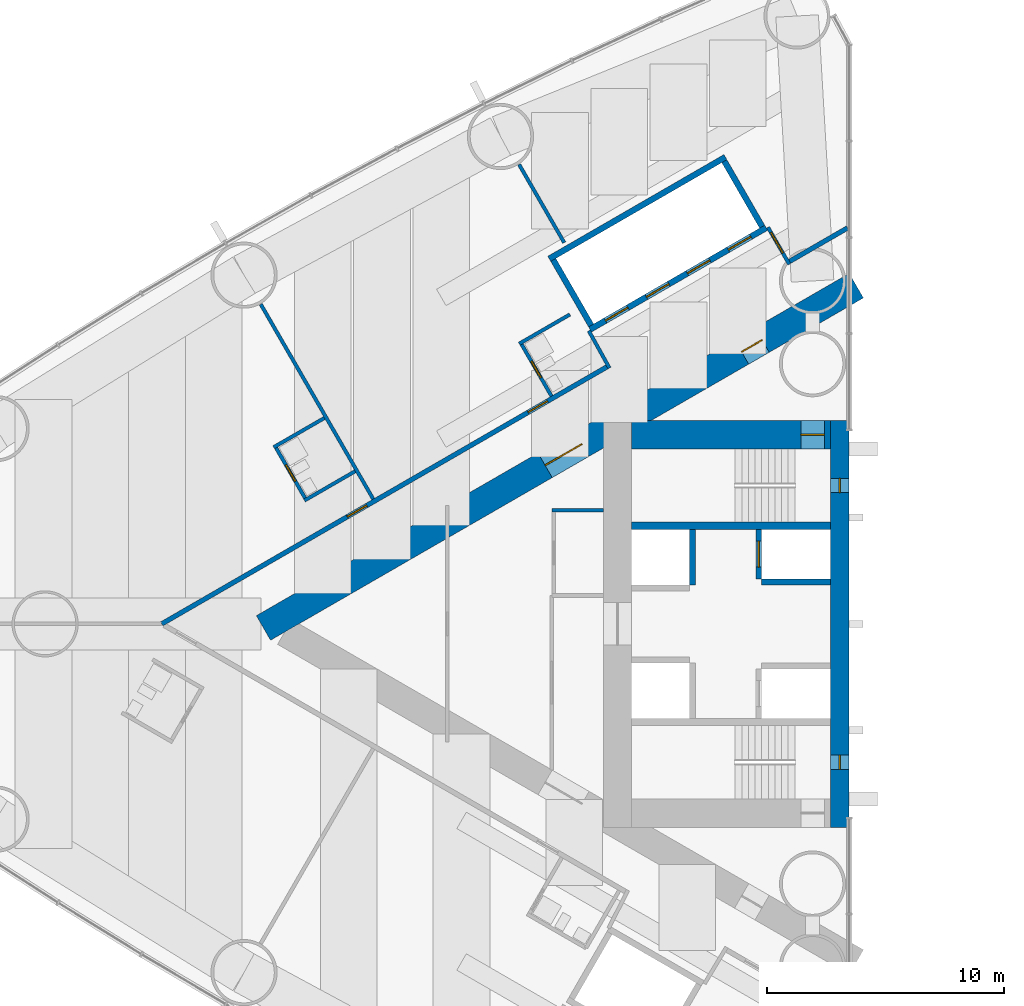
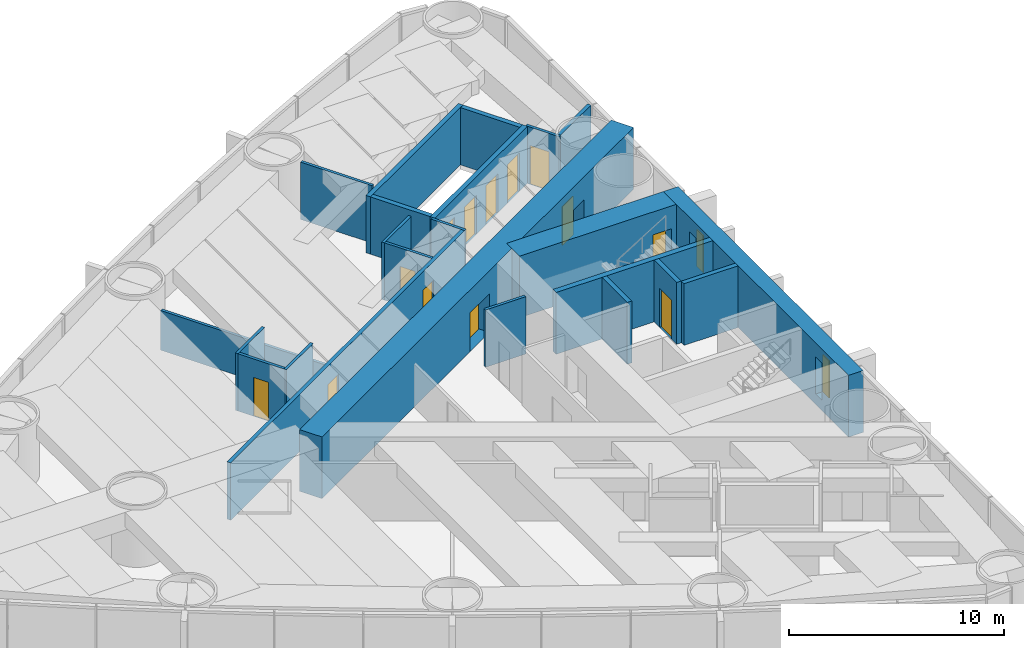
# One storey, part 12 of 18: 23 walls, 13 doors, 2 windows, 15 openings.
"""IFC4 building model written with IfcOpenShell, lengths in metres."""

from ifc_helpers import new_model, si_unit, direction, frame, frame_2d, origin, place, context, subcontext, project, spatial, rectangle, extrude, material, layer, layer_set, type_object, element, fill, save


model = new_model("IFC4")

# Units and contexts
model_context = context("Model", 3, precision=1e-05, world=origin(), true_north=direction((0.0, 1.0)))
body_context = subcontext(model_context, "Body", "Model", "MODEL_VIEW")
ifc_project = project(units=[si_unit("LENGTHUNIT", "METRE"), si_unit("AREAUNIT", "SQUARE_METRE"), si_unit("VOLUMEUNIT", "CUBIC_METRE"), si_unit("PLANEANGLEUNIT", "RADIAN"), si_unit("MASSUNIT", "GRAM", prefix="KILO")], contexts=[model_context])

# Site, building, storey
site_placement = place(None, origin())
site = spatial("IfcSite", under=ifc_project, at=site_placement, CompositionType="ELEMENT")
building_placement = place(site_placement, origin())
building = spatial("IfcBuilding", under=site, at=building_placement, Name="Lancet Gate Hotel", CompositionType="ELEMENT")
storey_placement = place(building_placement, frame((0.0, 0.0, 46.0)))
storey = spatial("IfcBuildingStorey", under=building, at=storey_placement, Name="L11", CompositionType="ELEMENT", Elevation=46.0)

# Wall
ifc_material_1 = material(Name="Moisture resistant board partition")
ifc_layer_1 = layer(ifc_material_1, 0.14990234375)
ifc_layer_set_1 = layer_set([ifc_layer_1], Name="Bathroom wall 150")
wall_type_1 = type_object("IfcWallType", Name="Bathroom wall 150", PredefinedType="PARTITIONING", material=ifc_layer_set_1)
wall_1_placement = place(storey_placement, frame((-49.691650390625, 8.704345703125, 0.0), z_axis=(0.0, 0.0, 1.0), x_axis=(-0.866073894602, -0.499916002032, 0.0)))
element("IfcWall", 1, at=wall_1_placement, inside=storey, type_object=wall_type_1, Name="T1 bathroom wall 150 L11", PredefinedType="PARTITIONING", context=body_context, shape_type="SweptSolid", body=[
    extrude(rectangle(XDim=2.47509765625, YDim=0.14990234375, at=frame_2d((1.237548828125, 0.0))), origin(), (0.0, 0.0, 1.0), 3.25),
])

# Wall, opening, door
wall_2_placement = place(storey_placement, frame((-50.47021484375, 5.252685546875, 0.0), z_axis=(0.0, 0.0, 1.0), x_axis=(-0.500006934395, 0.866021400173, 0.0)))
wall_2 = element("IfcWall", 2, at=wall_2_placement, inside=storey, type_object=wall_type_1, Name="T1 bathroom wall 150 L11", PredefinedType="PARTITIONING", context=body_context, shape_type="SweptSolid", body=[
    extrude(rectangle(XDim=2.60009765625, YDim=0.14990234375, at=frame_2d((1.300048828125, 0.0))), origin(), (0.0, 0.0, 1.0), 3.25),
])
opening_1_placement = place(wall_2_placement, frame((0.89990234375, 0.0, 0.0)))
opening_1 = element("IfcOpeningElement", 3, at=opening_1_placement, cuts=wall_2, Name="Opening 1103-B", PredefinedType="OPENING", context=body_context, shape_type="SweptSolid", body=[
    extrude(rectangle(XDim=0.800048828125, YDim=2.199951171875, at=frame_2d((0.39990234375, 1.10009765625))), frame((0.0, 0.0849609375, 0.0), z_axis=(0.0, -1.0, 0.0), x_axis=(1.0, 0.0, 0.0)), (0.0, 0.0, 1.0), 0.169921875),
])
ifc_material_2 = material(Name="Timber door set", Category="wood")
door_type_1 = type_object("IfcDoorType", Name="Bathroom door 800", OperationType="SINGLE_SWING_RIGHT", PredefinedType="DOOR", material=ifc_material_2)
door_1_placement = place(opening_1_placement, origin())
door_1 = element("IfcDoor", 4, at=door_1_placement, inside=storey, type_object=door_type_1, Name="1103-B", OperationType="SINGLE_SWING_RIGHT", OverallHeight=2.199951171875, OverallWidth=0.800048828125, PredefinedType="DOOR", context=body_context, shape_type="SweptSolid", body=[
    extrude(rectangle(XDim=0.800048828125, YDim=2.199951171875, at=frame_2d((0.39990234375, 1.10009765625))), frame((0.0, 0.02490234375, 0.0), z_axis=(0.0, -1.0, 0.0), x_axis=(1.0, 0.0, 0.0)), (0.0, 0.0, 1.0), 0.050048828125),
])
fill(opening_1, door_1)

# Walls
wall_3_placement = place(storey_placement, frame((-48.391845703125, 6.45263671875, 0.0), z_axis=(0.0, 0.0, 1.0), x_axis=(-0.86604923931, -0.499958713387, 0.0)))
element("IfcWall", 5, at=wall_3_placement, inside=storey, type_object=wall_type_1, Name="T1 bathroom wall 150 L11", PredefinedType="PARTITIONING", context=body_context, shape_type="SweptSolid", body=[
    extrude(rectangle(XDim=2.474853515625, YDim=0.14990234375, at=frame_2d((1.2373046875, 0.0))), origin(), (0.0, 0.0, 1.0), 3.25),
])
wall_4_placement = place(storey_placement, frame((-39.309814453125, 13.081787109375, 0.0), z_axis=(0.0, 0.0, 1.0), x_axis=(-0.866031185235, -0.4999899861, 0.0)))
element("IfcWall", 6, at=wall_4_placement, inside=storey, type_object=wall_type_1, Name="T1 bathroom wall 150 L11", PredefinedType="PARTITIONING", context=body_context, shape_type="SweptSolid", body=[
    extrude(rectangle(XDim=2.47509765625, YDim=0.14990234375, at=frame_2d((1.237548828125, 0.0))), origin(), (0.0, 0.0, 1.0), 3.25),
])

# Wall, opening, door
wall_5_placement = place(storey_placement, frame((-40.08837890625, 9.630126953125, 0.0), z_axis=(0.0, 0.0, 1.0), x_axis=(-0.500006934395, 0.866021400173, 0.0)))
wall_5 = element("IfcWall", 7, at=wall_5_placement, inside=storey, type_object=wall_type_1, Name="T1 bathroom wall 150 L11", PredefinedType="PARTITIONING", context=body_context, shape_type="SweptSolid", body=[
    extrude(rectangle(XDim=2.60009765625, YDim=0.14990234375, at=frame_2d((1.300048828125, 0.0))), origin(), (0.0, 0.0, 1.0), 3.25),
])
opening_2_placement = place(wall_5_placement, frame((0.89990234375, 0.0, 0.0)))
opening_2 = element("IfcOpeningElement", 8, at=opening_2_placement, cuts=wall_5, Name="Opening 1102-B", PredefinedType="OPENING", context=body_context, shape_type="SweptSolid", body=[
    extrude(rectangle(XDim=0.800048828125, YDim=2.199951171875, at=frame_2d((0.39990234375, 1.10009765625))), frame((0.0, 0.0849609375, 0.0), z_axis=(0.0, -1.0, 0.0), x_axis=(1.0, 0.0, 0.0)), (0.0, 0.0, 1.0), 0.169921875),
])
door_2_placement = place(opening_2_placement, origin())
door_2 = element("IfcDoor", 9, at=door_2_placement, inside=storey, type_object=door_type_1, Name="1102-B", OperationType="SINGLE_SWING_RIGHT", OverallHeight=2.199951171875, OverallWidth=0.800048828125, PredefinedType="DOOR", context=body_context, shape_type="SweptSolid", body=[
    extrude(rectangle(XDim=0.800048828125, YDim=2.199951171875, at=frame_2d((0.39990234375, 1.10009765625))), frame((0.0, 0.02490234375, 0.0), z_axis=(0.0, -1.0, 0.0), x_axis=(1.0, 0.0, 0.0)), (0.0, 0.0, 1.0), 0.050048828125),
])
fill(opening_2, door_2)

# Wall, openings, doors
ifc_material_3 = material(Name="Concrete C70/85", Category="concrete")
ifc_layer_2 = layer(ifc_material_3, 1.199951171875)
ifc_layer_set_2 = layer_set([ifc_layer_2], Name="Buttress wall 1200")
wall_type_2 = type_object("IfcWallType", Name="Buttress wall 1200", PredefinedType="SHEAR", material=ifc_layer_set_2)
wall_6_placement = place(storey_placement, frame((-27.199951171875, 14.300048828125, 0.0), z_axis=(0.0, 0.0, 1.0), x_axis=(-0.866026593062, -0.499997940104, 0.0)))
wall_6 = element("IfcWall", 10, at=wall_6_placement, inside=storey, type_object=wall_type_2, Name="T1 buttress wall S L11", PredefinedType="SHEAR", context=body_context, shape_type="SweptSolid", body=[
    extrude(rectangle(XDim=28.9462890625, YDim=1.199951171875, at=frame_2d((14.47314453125, 0.0))), origin(), (0.0, 0.0, 1.0), 3.5),
])
opening_3_placement = place(wall_6_placement, frame((4.60009765625, 0.0, 0.0)))
opening_3 = element("IfcOpeningElement", 11, at=opening_3_placement, cuts=wall_6, Name="Opening T1-L11-LS", PredefinedType="OPENING", context=body_context, shape_type="SweptSolid", body=[
    extrude(rectangle(XDim=1.0, YDim=2.199951171875, at=frame_2d((0.5, 1.10009765625))), frame((0.0, 0.60986328125, 0.0), z_axis=(0.0, -1.0, 0.0), x_axis=(1.0, 0.0, 0.0)), (0.0, 0.0, 1.0), 1.219970703125),
])
opening_4_placement = place(wall_6_placement, frame((13.39453125, 0.0, 0.0)))
opening_4 = element("IfcOpeningElement", 12, at=opening_4_placement, cuts=wall_6, Name="Opening T1-L11-LHS", PredefinedType="OPENING", context=body_context, shape_type="SweptSolid", body=[
    extrude(rectangle(XDim=1.800048828125, YDim=2.199951171875, at=frame_2d((0.89990234375, 1.10009765625))), frame((0.0, 0.60986328125, 0.0), z_axis=(0.0, -1.0, 0.0), x_axis=(1.0, 0.0, 0.0)), (0.0, 0.0, 1.0), 1.219970703125),
])
ifc_material_4 = material(Name="Timber door set", Category="wood")
door_type_2 = type_object("IfcDoorType", Name="Lobby double door 1800", OperationType="DOUBLE_DOOR_SINGLE_SWING", PredefinedType="DOOR", material=ifc_material_4)
door_3_placement = place(opening_4_placement, origin())
door_3 = element("IfcDoor", 13, at=door_3_placement, inside=storey, type_object=door_type_2, Name="T1-L11-LHS", OperationType="DOUBLE_DOOR_SINGLE_SWING", OverallHeight=2.199951171875, OverallWidth=1.800048828125, PredefinedType="DOOR", context=body_context, shape_type="SweptSolid", body=[
    extrude(rectangle(XDim=1.800048828125, YDim=2.199951171875, at=frame_2d((0.89990234375, 1.10009765625))), frame((0.0, 0.02490234375, 0.0), z_axis=(0.0, -1.0, 0.0), x_axis=(1.0, 0.0, 0.0)), (0.0, 0.0, 1.0), 0.050048828125),
])
fill(opening_4, door_3)
ifc_material_5 = material(Name="Timber door set", Category="wood")
door_type_3 = type_object("IfcDoorType", Name="Stair lobby door 1000", OperationType="SINGLE_SWING_LEFT", PredefinedType="DOOR", material=ifc_material_5)
door_4_placement = place(opening_3_placement, origin())
door_4 = element("IfcDoor", 14, at=door_4_placement, inside=storey, type_object=door_type_3, Name="T1-L11-LS", OperationType="SINGLE_SWING_LEFT", OverallHeight=2.199951171875, OverallWidth=1.0, PredefinedType="DOOR", context=body_context, shape_type="SweptSolid", body=[
    extrude(rectangle(XDim=1.0, YDim=2.199951171875, at=frame_2d((0.5, 1.10009765625))), frame((0.0, 0.02490234375, 0.0), z_axis=(0.0, -1.0, 0.0), x_axis=(1.0, 0.0, 0.0)), (0.0, 0.0, 1.0), 0.050048828125),
])
fill(opening_3, door_4)

# Wall, opening, door
ifc_material_6 = material(Name="Concrete C70/85", Category="concrete")
ifc_layer_3 = layer(ifc_material_6, 1.199951171875)
ifc_layer_set_3 = layer_set([ifc_layer_3], Name="Core wall 1200")
wall_type_3 = type_object("IfcWallType", Name="Core wall 1200", PredefinedType="SHEAR", material=ifc_layer_set_3)
wall_7_placement = place(storey_placement, frame((-28.300048828125, 8.0, 0.0), z_axis=(0.0, 0.0, 1.0), x_axis=(-1.0, 0.0, 0.0)))
wall_7 = element("IfcWall", 15, at=wall_7_placement, inside=storey, type_object=wall_type_3, Name="T1 core wall side-S L11", PredefinedType="SHEAR", context=body_context, shape_type="SweptSolid", body=[
    extrude(rectangle(XDim=8.39990234375, YDim=1.199951171875, at=frame_2d((4.199951171875, 0.0))), origin(), (0.0, 0.0, 1.0), 3.5),
])
opening_5_placement = place(wall_7_placement, frame((0.25, 0.0, 0.0)))
opening_5 = element("IfcOpeningElement", 16, at=opening_5_placement, cuts=wall_7, Name="Opening T1-L11-ST1", PredefinedType="OPENING", context=body_context, shape_type="SweptSolid", body=[
    extrude(rectangle(XDim=1.0, YDim=2.199951171875, at=frame_2d((0.5, 1.10009765625))), frame((0.0, 0.60986328125, 0.0), z_axis=(0.0, -1.0, 0.0), x_axis=(1.0, 0.0, 0.0)), (0.0, 0.0, 1.0), 1.219970703125),
])
ifc_material_7 = material(Name="Timber door set", Category="wood")
door_type_4 = type_object("IfcDoorType", Name="Stair door 1000", OperationType="SINGLE_SWING_RIGHT", PredefinedType="DOOR", material=ifc_material_7)
door_5_placement = place(opening_5_placement, origin())
door_5 = element("IfcDoor", 17, at=door_5_placement, inside=storey, type_object=door_type_4, Name="T1-L11-ST1", OperationType="SINGLE_SWING_RIGHT", OverallHeight=2.199951171875, OverallWidth=1.0, PredefinedType="DOOR", context=body_context, shape_type="SweptSolid", body=[
    extrude(rectangle(XDim=1.0, YDim=2.199951171875, at=frame_2d((0.5, 1.10009765625))), frame((0.0, 0.02490234375, 0.0), z_axis=(0.0, -1.0, 0.0), x_axis=(1.0, 0.0, 0.0)), (0.0, 0.0, 1.0), 0.050048828125),
])
fill(opening_5, door_5)

# Wall, openings, windows
ifc_material_8 = material(Name="Concrete C70/85", Category="concrete")
ifc_layer_4 = layer(ifc_material_8, 0.800048828125)
ifc_layer_set_4 = layer_set([ifc_layer_4], Name="Core wall 800")
wall_type_4 = type_object("IfcWallType", Name="Core wall 800", PredefinedType="SHEAR", material=ifc_layer_set_4)
wall_8_placement = place(storey_placement, frame((-27.89990234375, 8.60009765625, 0.0), z_axis=(0.0, 0.0, 1.0), x_axis=(0.0, -1.0, 0.0)))
wall_8 = element("IfcWall", 18, at=wall_8_placement, inside=storey, type_object=wall_type_4, Name="T1 core wall front L11", PredefinedType="SHEAR", context=body_context, shape_type="SweptSolid", body=[
    extrude(rectangle(XDim=17.2001953125, YDim=0.800048828125, at=frame_2d((8.60009765625, 0.0))), origin(), (0.0, 0.0, 1.0), 3.5),
])
opening_6_placement = place(wall_8_placement, frame((2.449951171875, 0.0, 0.60009765625)))
opening_6 = element("IfcOpeningElement", 19, at=opening_6_placement, cuts=wall_8, Name="Opening LW1", PredefinedType="OPENING", context=body_context, shape_type="SweptSolid", body=[
    extrude(rectangle(XDim=0.60009765625, YDim=2.10009765625, at=frame_2d((0.300048828125, 1.050048828125))), frame((0.0, 0.409912109375, 0.0), z_axis=(0.0, -1.0, 0.0), x_axis=(1.0, 0.0, 0.0)), (0.0, 0.0, 1.0), 0.820068359375),
])
opening_7_placement = place(wall_8_placement, frame((14.14990234375, 0.0, 0.60009765625)))
opening_7 = element("IfcOpeningElement", 20, at=opening_7_placement, cuts=wall_8, Name="Opening LW1", PredefinedType="OPENING", context=body_context, shape_type="SweptSolid", body=[
    extrude(rectangle(XDim=0.60009765625, YDim=2.10009765625, at=frame_2d((0.300048828125, 1.050048828125))), frame((0.0, 0.409912109375, 0.0), z_axis=(0.0, -1.0, 0.0), x_axis=(1.0, 0.0, 0.0)), (0.0, 0.0, 1.0), 0.820068359375),
])
ifc_material_9 = material(Name="Fire-resisting glazed steel window", Category="steel")
window_type = type_object("IfcWindowType", Name="Lancet window 600x2100", PartitioningType="SINGLE_PANEL", PredefinedType="WINDOW", material=ifc_material_9)
window_1_placement = place(opening_6_placement, origin())
window_1 = element("IfcWindow", 21, at=window_1_placement, inside=storey, type_object=window_type, Name="T1 stair window S L11", OverallHeight=2.10009765625, OverallWidth=0.60009765625, PartitioningType="SINGLE_PANEL", PredefinedType="WINDOW", context=body_context, shape_type="SweptSolid", body=[
    extrude(rectangle(XDim=0.60009765625, YDim=2.10009765625, at=frame_2d((0.300048828125, 1.050048828125))), frame((0.0, 0.030029296875, 0.0), z_axis=(0.0, -1.0, 0.0), x_axis=(1.0, 0.0, 0.0)), (0.0, 0.0, 1.0), 0.06005859375),
])
fill(opening_6, window_1)
window_2_placement = place(opening_7_placement, origin())
window_2 = element("IfcWindow", 22, at=window_2_placement, inside=storey, type_object=window_type, Name="T1 stair window N L11", OverallHeight=2.10009765625, OverallWidth=0.60009765625, PartitioningType="SINGLE_PANEL", PredefinedType="WINDOW", context=body_context, shape_type="SweptSolid", body=[
    extrude(rectangle(XDim=0.60009765625, YDim=2.10009765625, at=frame_2d((0.300048828125, 1.050048828125))), frame((0.0, 0.030029296875, 0.0), z_axis=(0.0, -1.0, 0.0), x_axis=(1.0, 0.0, 0.0)), (0.0, 0.0, 1.0), 0.06005859375),
])
fill(opening_7, window_2)

# Wall
ifc_material_10 = material(Name="Gypsum board partition")
ifc_layer_5 = layer(ifc_material_10, 0.199951171875)
ifc_layer_set_5 = layer_set([ifc_layer_5], Name="Corridor wall 200")
wall_type_5 = type_object("IfcWallType", Name="Corridor wall 200", PredefinedType="PARTITIONING", material=ifc_layer_set_5)
wall_9_placement = place(storey_placement, frame((-27.572021484375, 16.740966796875, 0.0), z_axis=(0.0, 0.0, 1.0), x_axis=(-0.866034618596, -0.499984039138, 0.0)))
element("IfcWall", 23, at=wall_9_placement, inside=storey, type_object=wall_type_5, Name="T1 corridor wall 200 L11", PredefinedType="PARTITIONING", context=body_context, shape_type="SweptSolid", body=[
    extrude(rectangle(XDim=2.8544921875, YDim=0.199951171875, at=frame_2d((1.42724609375, 0.0))), origin(), (0.0, 0.0, 1.0), 3.25),
])

# Wall, openings, doors
wall_10_placement = place(storey_placement, frame((-37.699951171875, 10.8935546875, 0.0), z_axis=(0.0, 0.0, 1.0), x_axis=(-0.866027905338, -0.499995667157, 0.0)))
wall_10 = element("IfcWall", 24, at=wall_10_placement, inside=storey, type_object=wall_type_5, Name="T1 corridor wall 200 L11", PredefinedType="PARTITIONING", context=body_context, shape_type="SweptSolid", body=[
    extrude(rectangle(XDim=21.787353515625, YDim=0.199951171875, at=frame_2d((10.8935546875, 0.0))), origin(), (0.0, 0.0, 1.0), 3.25),
])
opening_8_placement = place(wall_10_placement, frame((11.77978515625, 0.0, 0.0)))
opening_8 = element("IfcOpeningElement", 25, at=opening_8_placement, cuts=wall_10, Name="Opening 1103-E", PredefinedType="OPENING", context=body_context, shape_type="SweptSolid", body=[
    extrude(rectangle(XDim=0.949951171875, YDim=2.199951171875, at=frame_2d((0.47509765625, 1.10009765625))), frame((0.0, 0.10986328125, 0.0), z_axis=(0.0, -1.0, 0.0), x_axis=(1.0, 0.0, 0.0)), (0.0, 0.0, 1.0), 0.219970703125),
])
opening_9_placement = place(wall_10_placement, frame((2.949951171875, 0.0, 0.0)))
opening_9 = element("IfcOpeningElement", 26, at=opening_9_placement, cuts=wall_10, Name="Opening 1102-E", PredefinedType="OPENING", context=body_context, shape_type="SweptSolid", body=[
    extrude(rectangle(XDim=0.949951171875, YDim=2.199951171875, at=frame_2d((0.47509765625, 1.10009765625))), frame((0.0, 0.10986328125, 0.0), z_axis=(0.0, -1.0, 0.0), x_axis=(1.0, 0.0, 0.0)), (0.0, 0.0, 1.0), 0.219970703125),
])
ifc_material_11 = material(Name="Timber door set", Category="wood")
door_type_5 = type_object("IfcDoorType", Name="Guest room entry door 950", OperationType="SINGLE_SWING_LEFT", PredefinedType="DOOR", material=ifc_material_11)
door_6_placement = place(opening_8_placement, origin())
door_6 = element("IfcDoor", 27, at=door_6_placement, inside=storey, type_object=door_type_5, Name="1103-E", OperationType="SINGLE_SWING_LEFT", OverallHeight=2.199951171875, OverallWidth=0.949951171875, PredefinedType="DOOR", context=body_context, shape_type="SweptSolid", body=[
    extrude(rectangle(XDim=0.949951171875, YDim=2.199951171875, at=frame_2d((0.47509765625, 1.10009765625))), frame((0.0, 0.02490234375, 0.0), z_axis=(0.0, -1.0, 0.0), x_axis=(1.0, 0.0, 0.0)), (0.0, 0.0, 1.0), 0.050048828125),
])
fill(opening_8, door_6)
door_7_placement = place(opening_9_placement, origin())
door_7 = element("IfcDoor", 28, at=door_7_placement, inside=storey, type_object=door_type_5, Name="1102-E", OperationType="SINGLE_SWING_LEFT", OverallHeight=2.199951171875, OverallWidth=0.949951171875, PredefinedType="DOOR", context=body_context, shape_type="SweptSolid", body=[
    extrude(rectangle(XDim=0.949951171875, YDim=2.199951171875, at=frame_2d((0.47509765625, 1.10009765625))), frame((0.0, 0.02490234375, 0.0), z_axis=(0.0, -1.0, 0.0), x_axis=(1.0, 0.0, 0.0)), (0.0, 0.0, 1.0), 0.050048828125),
])
fill(opening_9, door_7)

ifc_material_12 = material(Name="Gypsum board partition")
ifc_layer_6 = layer(ifc_material_12, 0.25)
ifc_layer_set_6 = layer_set([ifc_layer_6], Name="Lift shaft partition 250")
wall_type_6 = type_object("IfcWallType", Name="Lift shaft partition 250", PredefinedType="PARTITIONING", material=ifc_layer_set_6)
wall_11_placement = place(storey_placement, frame((-31.010498046875, 16.747314453125, 0.0), z_axis=(0.0, 0.0, 1.0), x_axis=(-0.866028165386, -0.499995216735, 0.0)))
wall_11 = element("IfcWall", 29, at=wall_11_placement, inside=storey, type_object=wall_type_6, Name="T1 lift shaft wall LR L11", PredefinedType="PARTITIONING", context=body_context, shape_type="SweptSolid", body=[
    extrude(rectangle(XDim=8.60009765625, YDim=0.25, at=frame_2d((4.300048828125, 0.0))), origin(), (0.0, 0.0, 1.0), 3.25),
])
opening_10_placement = place(wall_11_placement, frame((0.75, 0.0, 0.0)))
opening_10 = element("IfcOpeningElement", 30, at=opening_10_placement, cuts=wall_11, Name="Opening T1-LR1-L11", PredefinedType="OPENING", context=body_context, shape_type="SweptSolid", body=[
    extrude(rectangle(XDim=1.10009765625, YDim=2.199951171875, at=frame_2d((0.550048828125, 1.10009765625))), frame((0.0, 0.135009765625, 0.0), z_axis=(0.0, -1.0, 0.0), x_axis=(1.0, 0.0, 0.0)), (0.0, 0.0, 1.0), 0.27001953125),
])
opening_11_placement = place(wall_11_placement, frame((2.75, 0.0, 0.0)))
opening_11 = element("IfcOpeningElement", 31, at=opening_11_placement, cuts=wall_11, Name="Opening T1-LR2-L11", PredefinedType="OPENING", context=body_context, shape_type="SweptSolid", body=[
    extrude(rectangle(XDim=1.10009765625, YDim=2.199951171875, at=frame_2d((0.550048828125, 1.10009765625))), frame((0.0, 0.135009765625, 0.0), z_axis=(0.0, -1.0, 0.0), x_axis=(1.0, 0.0, 0.0)), (0.0, 0.0, 1.0), 0.27001953125),
])
opening_12_placement = place(wall_11_placement, frame((4.75, 0.0, 0.0)))
opening_12 = element("IfcOpeningElement", 32, at=opening_12_placement, cuts=wall_11, Name="Opening T1-LR3-L11", PredefinedType="OPENING", context=body_context, shape_type="SweptSolid", body=[
    extrude(rectangle(XDim=1.10009765625, YDim=2.199951171875, at=frame_2d((0.550048828125, 1.10009765625))), frame((0.0, 0.135009765625, 0.0), z_axis=(0.0, -1.0, 0.0), x_axis=(1.0, 0.0, 0.0)), (0.0, 0.0, 1.0), 0.27001953125),
])
opening_13_placement = place(wall_11_placement, frame((6.75, 0.0, 0.0)))
opening_13 = element("IfcOpeningElement", 33, at=opening_13_placement, cuts=wall_11, Name="Opening T1-LR4-L11", PredefinedType="OPENING", context=body_context, shape_type="SweptSolid", body=[
    extrude(rectangle(XDim=1.10009765625, YDim=2.199951171875, at=frame_2d((0.550048828125, 1.10009765625))), frame((0.0, 0.135009765625, 0.0), z_axis=(0.0, -1.0, 0.0), x_axis=(1.0, 0.0, 0.0)), (0.0, 0.0, 1.0), 0.27001953125),
])
ifc_material_13 = material(Name="Steel door set", Category="steel")
door_type_6 = type_object("IfcDoorType", Name="Lift landing door 1100", OperationType="DOUBLE_DOOR_SLIDING", PredefinedType="USERDEFINED", material=ifc_material_13)
door_8_placement = place(opening_10_placement, origin())
door_8 = element("IfcDoor", 34, at=door_8_placement, inside=storey, type_object=door_type_6, Name="T1-LR1-L11", ObjectType="LIFT LANDING DOOR", OperationType="DOUBLE_DOOR_SLIDING", OverallHeight=2.199951171875, OverallWidth=1.10009765625, PredefinedType="USERDEFINED", context=body_context, shape_type="SweptSolid", body=[
    extrude(rectangle(XDim=1.10009765625, YDim=2.199951171875, at=frame_2d((0.550048828125, 1.10009765625))), frame((0.0, 0.02490234375, 0.0), z_axis=(0.0, -1.0, 0.0), x_axis=(1.0, 0.0, 0.0)), (0.0, 0.0, 1.0), 0.050048828125),
])
fill(opening_10, door_8)
door_9_placement = place(opening_11_placement, origin())
door_9 = element("IfcDoor", 35, at=door_9_placement, inside=storey, type_object=door_type_6, Name="T1-LR2-L11", ObjectType="LIFT LANDING DOOR", OperationType="DOUBLE_DOOR_SLIDING", OverallHeight=2.199951171875, OverallWidth=1.10009765625, PredefinedType="USERDEFINED", context=body_context, shape_type="SweptSolid", body=[
    extrude(rectangle(XDim=1.10009765625, YDim=2.199951171875, at=frame_2d((0.550048828125, 1.10009765625))), frame((0.0, 0.02490234375, 0.0), z_axis=(0.0, -1.0, 0.0), x_axis=(1.0, 0.0, 0.0)), (0.0, 0.0, 1.0), 0.050048828125),
])
fill(opening_11, door_9)
door_10_placement = place(opening_12_placement, origin())
door_10 = element("IfcDoor", 36, at=door_10_placement, inside=storey, type_object=door_type_6, Name="T1-LR3-L11", ObjectType="LIFT LANDING DOOR", OperationType="DOUBLE_DOOR_SLIDING", OverallHeight=2.199951171875, OverallWidth=1.10009765625, PredefinedType="USERDEFINED", context=body_context, shape_type="SweptSolid", body=[
    extrude(rectangle(XDim=1.10009765625, YDim=2.199951171875, at=frame_2d((0.550048828125, 1.10009765625))), frame((0.0, 0.02490234375, 0.0), z_axis=(0.0, -1.0, 0.0), x_axis=(1.0, 0.0, 0.0)), (0.0, 0.0, 1.0), 0.050048828125),
])
fill(opening_12, door_10)
door_11_placement = place(opening_13_placement, origin())
door_11 = element("IfcDoor", 37, at=door_11_placement, inside=storey, type_object=door_type_6, Name="T1-LR4-L11", ObjectType="LIFT LANDING DOOR", OperationType="DOUBLE_DOOR_SLIDING", OverallHeight=2.199951171875, OverallWidth=1.10009765625, PredefinedType="USERDEFINED", context=body_context, shape_type="SweptSolid", body=[
    extrude(rectangle(XDim=1.10009765625, YDim=2.199951171875, at=frame_2d((0.550048828125, 1.10009765625))), frame((0.0, 0.02490234375, 0.0), z_axis=(0.0, -1.0, 0.0), x_axis=(1.0, 0.0, 0.0)), (0.0, 0.0, 1.0), 0.050048828125),
])
fill(opening_13, door_11)

# Walls
wall_12_placement = place(storey_placement, frame((-32.735595703125, 19.73583984375, 0.0), z_axis=(0.0, 0.0, 1.0), x_axis=(-0.866028165386, -0.499995216735, 0.0)))
element("IfcWall", 38, at=wall_12_placement, inside=storey, type_object=wall_type_6, Name="T1 lift shaft wall LR L11", PredefinedType="PARTITIONING", context=body_context, shape_type="SweptSolid", body=[
    extrude(rectangle(XDim=8.60009765625, YDim=0.25, at=frame_2d((4.300048828125, 0.0))), origin(), (0.0, 0.0, 1.0), 3.25),
])
wall_13_placement = place(storey_placement, frame((-31.18115234375, 16.79296875, 0.0), z_axis=(0.0, 0.0, 1.0), x_axis=(-0.499929347863, 0.866066190972, 0.0)))
element("IfcWall", 39, at=wall_13_placement, inside=storey, type_object=wall_type_6, Name="T1 lift shaft wall LR L11", PredefinedType="PARTITIONING", context=body_context, shape_type="SweptSolid", body=[
    extrude(rectangle(XDim=3.20068359375, YDim=0.25, at=frame_2d((1.600341796875, 0.0))), origin(), (0.0, 0.0, 1.0), 3.25),
])
wall_14_placement = place(storey_placement, frame((-38.412841796875, 12.617919921875, 0.0), z_axis=(0.0, 0.0, 1.0), x_axis=(-0.499872130319, 0.866099216793, 0.0)))
element("IfcWall", 40, at=wall_14_placement, inside=storey, type_object=wall_type_6, Name="T1 lift shaft wall LR L11", PredefinedType="PARTITIONING", context=body_context, shape_type="SweptSolid", body=[
    extrude(rectangle(XDim=3.200439453125, YDim=0.25, at=frame_2d((1.60009765625, 0.0))), origin(), (0.0, 0.0, 1.0), 3.25),
])

# Wall, opening, door
ifc_material_14 = material(Name="Concrete C50/60", Category="concrete")
ifc_layer_7 = layer(ifc_material_14, 0.25)
ifc_layer_set_7 = layer_set([ifc_layer_7], Name="Lift shaft wall 250")
wall_type_7 = type_object("IfcWallType", Name="Lift shaft wall 250", PredefinedType="SHEAR", material=ifc_layer_set_7)
wall_15_placement = place(storey_placement, frame((-31.324951171875, 4.0, 0.0), z_axis=(0.0, 0.0, 1.0), x_axis=(0.0, -1.0, 0.0)))
wall_15 = element("IfcWall", 41, at=wall_15_placement, inside=storey, type_object=wall_type_7, Name="T1 core wall row1-S L11", PredefinedType="SHEAR", context=body_context, shape_type="SweptSolid", body=[
    extrude(rectangle(XDim=2.10009765625, YDim=0.25, at=frame_2d((1.050048828125, 0.0))), origin(), (0.0, 0.0, 1.0), 3.5),
])
opening_14_placement = place(wall_15_placement, frame((0.5, 0.0, 0.0)))
opening_14 = element("IfcOpeningElement", 42, at=opening_14_placement, cuts=wall_15, Name="Opening T1-SL1-L11", PredefinedType="OPENING", context=body_context, shape_type="SweptSolid", body=[
    extrude(rectangle(XDim=1.10009765625, YDim=2.199951171875, at=frame_2d((0.550048828125, 1.10009765625))), frame((0.0, 0.135009765625, 0.0), z_axis=(0.0, -1.0, 0.0), x_axis=(1.0, 0.0, 0.0)), (0.0, 0.0, 1.0), 0.27001953125),
])
ifc_material_15 = material(Name="Timber door set", Category="wood")
door_type_7 = type_object("IfcDoorType", Name="Service lift landing door 1100", OperationType="SLIDING_TO_LEFT", PredefinedType="USERDEFINED", material=ifc_material_15)
door_12_placement = place(opening_14_placement, origin())
door_12 = element("IfcDoor", 43, at=door_12_placement, inside=storey, type_object=door_type_7, Name="T1-SL1-L11", ObjectType="LIFT LANDING DOOR", OperationType="SLIDING_TO_LEFT", OverallHeight=2.199951171875, OverallWidth=1.10009765625, PredefinedType="USERDEFINED", context=body_context, shape_type="SweptSolid", body=[
    extrude(rectangle(XDim=1.10009765625, YDim=2.199951171875, at=frame_2d((0.550048828125, 1.10009765625))), frame((0.0, 0.02490234375, 0.0), z_axis=(0.0, -1.0, 0.0), x_axis=(1.0, 0.0, 0.0)), (0.0, 0.0, 1.0), 0.050048828125),
])
fill(opening_14, door_12)

# Walls
wall_16_placement = place(storey_placement, frame((-34.125, 4.0, 0.0), z_axis=(0.0, 0.0, 1.0), x_axis=(0.0, -1.0, 0.0)))
element("IfcWall", 44, at=wall_16_placement, inside=storey, type_object=wall_type_7, Name="T1 core wall row2-S L11", PredefinedType="SHEAR", context=body_context, shape_type="SweptSolid", body=[
    extrude(rectangle(XDim=2.35009765625, YDim=0.25, at=frame_2d((1.175048828125, 0.0))), origin(), (0.0, 0.0, 1.0), 3.5),
])
wall_17_placement = place(storey_placement, frame((-28.300048828125, 1.77490234375, 0.0), z_axis=(0.0, 0.0, 1.0), x_axis=(-1.0, 0.0, 0.0)))
element("IfcWall", 45, at=wall_17_placement, inside=storey, type_object=wall_type_7, Name="T1 core wall pass1-S L11", PredefinedType="SHEAR", context=body_context, shape_type="SweptSolid", body=[
    extrude(rectangle(XDim=2.89990234375, YDim=0.25, at=frame_2d((1.449951171875, 0.0))), origin(), (0.0, 0.0, 1.0), 3.5),
])
ifc_material_16 = material(Name="Gypsum board partition")
ifc_layer_8 = layer(ifc_material_16, 0.14990234375)
ifc_layer_set_8 = layer_set([ifc_layer_8], Name="Party wall 150")
wall_type_8 = type_object("IfcWallType", Name="Party wall 150", PredefinedType="PARTITIONING", material=ifc_layer_set_8)
wall_18_placement = place(storey_placement, frame((-47.626708984375, 5.27783203125, 0.0), z_axis=(0.0, 0.0, 1.0), x_axis=(-0.500009844318, 0.86601972009, 0.0)))
element("IfcWall", 46, at=wall_18_placement, inside=storey, type_object=wall_type_8, Name="T1 party wall 150 L11", PredefinedType="PARTITIONING", context=body_context, shape_type="SweptSolid", body=[
    extrude(rectangle(XDim=9.510498046875, YDim=0.14990234375, at=frame_2d((4.75537109375, 0.0))), origin(), (0.0, 0.0, 1.0), 2.25),
])
wall_19_placement = place(storey_placement, frame((-39.55078125, 16.11865234375, 0.0), z_axis=(0.0, 0.0, 1.0), x_axis=(-0.500014214979, 0.866017196607, 0.0)))
element("IfcWall", 47, at=wall_19_placement, inside=storey, type_object=wall_type_8, Name="T1 party wall 150 L11", PredefinedType="PARTITIONING", context=body_context, shape_type="SweptSolid", body=[
    extrude(rectangle(XDim=3.81494140625, YDim=0.14990234375, at=frame_2d((1.907470703125, 0.0))), origin(), (0.0, 0.0, 1.0), 3.25),
])
ifc_material_17 = material(Name="Gypsum board partition")
ifc_layer_9 = layer(ifc_material_17, 0.14990234375)
ifc_layer_set_9 = layer_set([ifc_layer_9], Name="Service room wall 150")
wall_type_9 = type_object("IfcWallType", Name="Service room wall 150", PredefinedType="PARTITIONING", material=ifc_layer_set_9)
wall_20_placement = place(storey_placement, frame((-38.513427734375, 12.392333984375, 0.0), z_axis=(0.0, 0.0, 1.0), x_axis=(0.485585508183, -0.874189175317, 0.0)))
element("IfcWall", 48, at=wall_20_placement, inside=storey, type_object=wall_type_9, Name="T1 service room wall 150 L11", PredefinedType="PARTITIONING", context=body_context, shape_type="SweptSolid", body=[
    extrude(rectangle(XDim=1.804931640625, YDim=0.14990234375, at=frame_2d((0.90234375, 0.0))), origin(), (0.0, 0.0, 1.0), 3.25),
])

# Wall, opening, door
wall_21_placement = place(storey_placement, frame((-30.033203125, 15.20458984375, 0.0), z_axis=(0.0, 0.0, 1.0), x_axis=(-0.499980071345, 0.866036909293, 0.0)))
wall_21 = element("IfcWall", 49, at=wall_21_placement, inside=storey, type_object=wall_type_9, Name="T1 service room wall 150 L11", PredefinedType="PARTITIONING", context=body_context, shape_type="SweptSolid", body=[
    extrude(rectangle(XDim=1.8046875, YDim=0.14990234375, at=frame_2d((0.90234375, 0.0))), origin(), (0.0, 0.0, 1.0), 3.25),
])
opening_15_placement = place(wall_21_placement, frame((0.552001953125, 0.0, 0.0)))
opening_15 = element("IfcOpeningElement", 50, at=opening_15_placement, cuts=wall_21, Name="Opening T1-L11-LO1", PredefinedType="OPENING", context=body_context, shape_type="SweptSolid", body=[
    extrude(rectangle(XDim=1.0, YDim=2.199951171875, at=frame_2d((0.5, 1.10009765625))), frame((0.0, 0.0849609375, 0.0), z_axis=(0.0, -1.0, 0.0), x_axis=(1.0, 0.0, 0.0)), (0.0, 0.0, 1.0), 0.169921875),
])
ifc_material_18 = material(Name="Timber door set", Category="wood")
door_type_8 = type_object("IfcDoorType", Name="Service door 1000", OperationType="SINGLE_SWING_LEFT", PredefinedType="DOOR", material=ifc_material_18)
door_13_placement = place(opening_15_placement, origin())
door_13 = element("IfcDoor", 51, at=door_13_placement, inside=storey, type_object=door_type_8, Name="T1-L11-LO1", OperationType="SINGLE_SWING_LEFT", OverallHeight=2.199951171875, OverallWidth=1.0, PredefinedType="DOOR", context=body_context, shape_type="SweptSolid", body=[
    extrude(rectangle(XDim=1.0, YDim=2.199951171875, at=frame_2d((0.5, 1.10009765625))), frame((0.0, 0.02490234375, 0.0), z_axis=(0.0, -1.0, 0.0), x_axis=(1.0, 0.0, 0.0)), (0.0, 0.0, 1.0), 0.050048828125),
])
fill(opening_15, door_13)

# Walls
wall_22_placement = place(storey_placement, frame((-37.89990234375, 4.800048828125, 0.0), z_axis=(0.0, 0.0, 1.0), x_axis=(-1.0, 0.0, 0.0)))
element("IfcWall", 52, at=wall_22_placement, inside=storey, type_object=wall_type_9, Name="T1 service room wall 150 L11", PredefinedType="PARTITIONING", context=body_context, shape_type="SweptSolid", body=[
    extrude(rectangle(XDim=2.175048828125, YDim=0.14990234375, at=frame_2d((1.08740234375, 0.0))), origin(), (0.0, 0.0, 1.0), 3.25),
])
ifc_material_19 = material(Name="Concrete C50/60", Category="concrete")
ifc_layer_10 = layer(ifc_material_19, 0.300048828125)
ifc_layer_set_10 = layer_set([ifc_layer_10], Name="Stair enclosure wall 300")
wall_type_10 = type_object("IfcWallType", Name="Stair enclosure wall 300", PredefinedType="SHEAR", material=ifc_layer_set_10)
wall_23_placement = place(storey_placement, frame((-28.300048828125, 4.14990234375, 0.0), z_axis=(0.0, 0.0, 1.0), x_axis=(-1.0, 0.0, 0.0)))
element("IfcWall", 53, at=wall_23_placement, inside=storey, type_object=wall_type_10, Name="T1 core wall stair-S L11", PredefinedType="SHEAR", context=body_context, shape_type="SweptSolid", body=[
    extrude(rectangle(XDim=8.39990234375, YDim=0.300048828125, at=frame_2d((4.199951171875, 0.0))), origin(), (0.0, 0.0, 1.0), 3.5),
])

save(model, "model.ifc")
